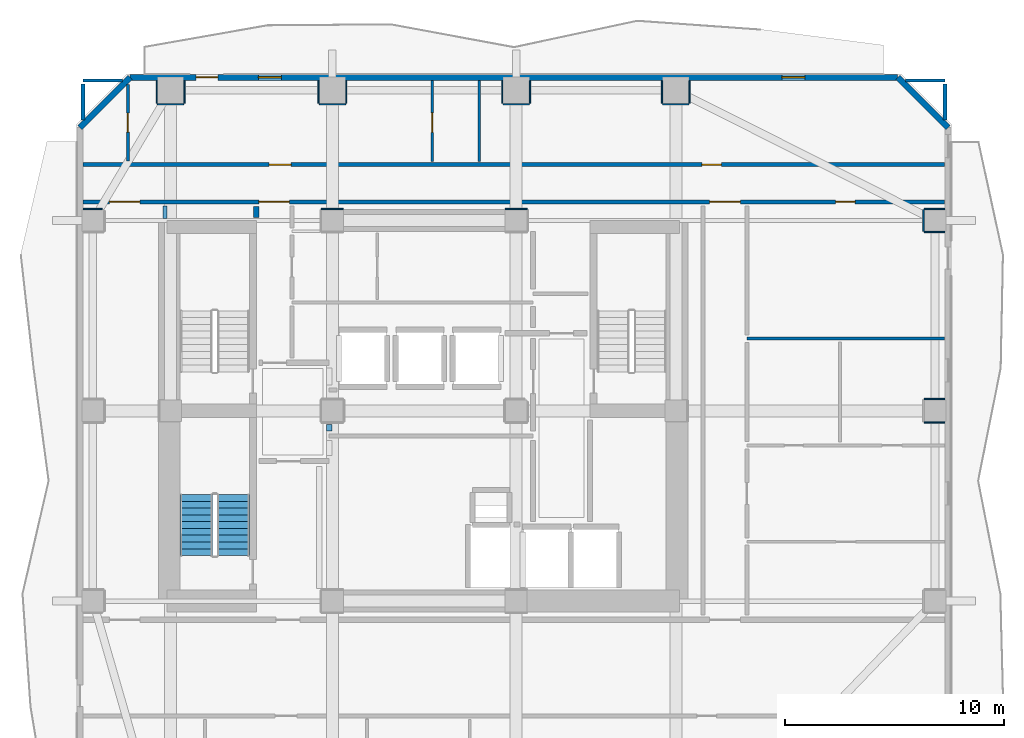
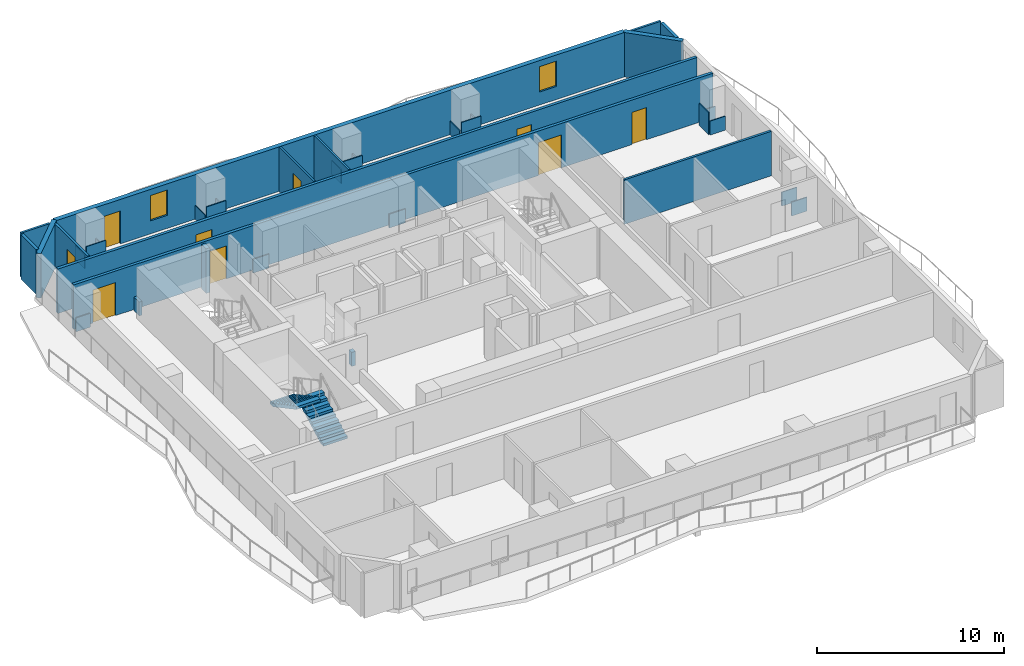
# One storey, part 5 of 9: 36 walls, 9 doors, 2 stair flights, 2 windows, 11 openings, 1 element without a shape of its own.
"""IFC4 building model written with IfcOpenShell, lengths in metres."""

import ifcopenshell
import ifcopenshell.guid

model = None  # the IFC model being written
_history = None  # IfcOwnerHistory: only IFC2X3 demands one
_inside = {}  # id of a spatial element -> (the spatial element, [elements in it])
_under = {}  # id of a project, library or spatial element -> (it, [spatial elements below it])
_declared = {}  # id of a project -> (the project, [libraries it declares])
_typed = {}  # id of a type object -> (the type object, [elements of that type])
_made_of = {}  # id of a material, layer set ... -> (it, [elements and type objects made of it])


def new_model(schema):
    """Start an empty IFC model of exactly this schema.

    Asked for "IFC4X3", IfcOpenShell would pick the latest addendum, in which some entities
    have other attributes; the version numbers below select the first issue.
    IFC2X3 requires an IfcOwnerHistory on every rooted entity: one is made here for all.
    """
    global model, _history
    if schema == "IFC4X3":
        model = ifcopenshell.file(schema_version=(4, 3, 0, 0))
    else:
        model = ifcopenshell.file(schema=schema)
    _inside.clear()
    _under.clear()
    _declared.clear()
    _typed.clear()
    _made_of.clear()
    _history = None
    if model.schema == "IFC2X3":
        org = make("IfcOrganization", Name="unknown")
        user = make(
            "IfcPersonAndOrganization",
            ThePerson=make("IfcPerson", FamilyName="unknown"),
            TheOrganization=org,
        )
        app = make(
            "IfcApplication",
            ApplicationDeveloper=org,
            Version="unknown",
            ApplicationFullName="unknown",
            ApplicationIdentifier="unknown",
        )
        _history = make(
            "IfcOwnerHistory",
            OwningUser=user,
            OwningApplication=app,
            ChangeAction="ADDED",
            CreationDate=0,
        )
    return model


def make(cls, **values):
    """One entity of the class cls with the attributes given. An attribute that is None is left unset."""
    return model.create_entity(
        cls, **{name: value for name, value in values.items() if value is not None}
    )


def rooted(cls, **values):
    """An entity with a GlobalId (a new one), such as an element, a storey or a relation."""
    return make(cls, GlobalId=ifcopenshell.guid.new(), OwnerHistory=_history, **values)


def si_unit(unit_type, name, prefix=None):
    """IfcSIUnit, for example si_unit("LENGTHUNIT", "METRE", prefix="MILLI")."""
    return make("IfcSIUnit", UnitType=unit_type, Prefix=prefix, Name=name)


def assignment(units):
    """IfcUnitAssignment: the units of a project."""
    return None if units is None else make("IfcUnitAssignment", Units=units)


def point(xyz):
    """IfcCartesianPoint."""
    return None if xyz is None else make("IfcCartesianPoint", Coordinates=xyz)


def direction(xyz):
    """IfcDirection."""
    return None if xyz is None else make("IfcDirection", DirectionRatios=xyz)


def frame(location, z_axis=None, x_axis=None):
    """IfcAxis2Placement3D, a coordinate frame: its origin and axes. An axis left out is left unset."""
    return make(
        "IfcAxis2Placement3D",
        Location=point(location),
        Axis=direction(z_axis),
        RefDirection=direction(x_axis),
    )


def frame_2d(location, x_axis=None):
    """IfcAxis2Placement2D, a coordinate frame in the plane: its origin and x axis."""
    return make(
        "IfcAxis2Placement2D", Location=point(location), RefDirection=direction(x_axis)
    )


def origin():
    """The frame at (0, 0, 0) with its axes left unset."""
    return frame((0.0, 0.0, 0.0))


def place(relative_to, where):
    """IfcLocalPlacement: puts the frame where relative to a parent placement (None: the world)."""
    return make(
        "IfcLocalPlacement", PlacementRelTo=relative_to, RelativePlacement=where
    )


def context(
    kind, dimensions, precision=None, world=None, true_north=None, identifier=None
):
    """IfcGeometricRepresentationContext, for example the 3D "Model" context."""
    return make(
        "IfcGeometricRepresentationContext",
        ContextIdentifier=identifier,
        ContextType=kind,
        CoordinateSpaceDimension=dimensions,
        Precision=precision,
        WorldCoordinateSystem=world,
        TrueNorth=true_north,
    )


def subcontext(parent, identifier, kind, view, scale=None):
    """IfcGeometricRepresentationSubContext, for example "Body" below "Model"."""
    return make(
        "IfcGeometricRepresentationSubContext",
        ContextIdentifier=identifier,
        ContextType=kind,
        ParentContext=parent,
        TargetScale=scale,
        TargetView=view,
    )


def project(units=None, contexts=None):
    """IfcProject with its units and contexts."""
    return rooted(
        "IfcProject",
        Name="project",
        RepresentationContexts=contexts,
        UnitsInContext=assignment(units),
    )


def spatial(cls, under=None, at=None, **own):
    """A site, building, storey or space (cls), placed at a placement, below another one or the project."""
    s = rooted(cls, ObjectPlacement=at, **own)
    if under is not None:
        _under.setdefault(under.id(), (under, []))[1].append(s)
    return s


def polyline(points):
    """IfcPolyline through the points."""
    return make("IfcPolyline", Points=[point(p) for p in points])


def profile(cls, at=None, kind="AREA", **sizes):
    """A parametric profile (cls). Its sizes go by their IFC names, for example OverallWidth=200.0."""
    return make(cls, ProfileType=kind, Position=at, **sizes)


def rectangle(**sizes):
    """IfcRectangleProfileDef."""
    return profile("IfcRectangleProfileDef", **sizes)


def outline(outer, holes=None, kind="AREA"):
    """IfcArbitraryClosedProfileDef: a profile drawn as a closed curve; with holes, ...WithVoids."""
    if holes is None:
        return make("IfcArbitraryClosedProfileDef", ProfileType=kind, OuterCurve=outer)
    return make(
        "IfcArbitraryProfileDefWithVoids",
        ProfileType=kind,
        OuterCurve=outer,
        InnerCurves=holes,
    )


def extrude(swept, where, along, depth):
    """IfcExtrudedAreaSolid: the profile swept, set in the frame where, extruded along a direction by depth."""
    return make(
        "IfcExtrudedAreaSolid",
        SweptArea=swept,
        Position=where,
        ExtrudedDirection=direction(along),
        Depth=depth,
    )


def shape(context_of_items, identifier, shape_type, items):
    """IfcShapeRepresentation: the items that make up one representation, for example the "Body"."""
    return make(
        "IfcShapeRepresentation",
        ContextOfItems=context_of_items,
        RepresentationIdentifier=identifier,
        RepresentationType=shape_type,
        Items=items,
    )


def material(Name=None, Category=None):
    """IfcMaterial."""
    return make("IfcMaterial", Name=Name, Category=Category)


def layer(
    of_material, thickness, ventilated=None, Name=None, Category=None, Priority=None
):
    """IfcMaterialLayer: one layer of a wall or slab, of a material (None: an air gap)."""
    return make(
        "IfcMaterialLayer",
        Material=of_material,
        LayerThickness=thickness,
        IsVentilated=ventilated,
        Name=Name,
        Category=Category,
        Priority=Priority,
    )


def layer_set(layers, Name=None):
    """IfcMaterialLayerSet."""
    return make("IfcMaterialLayerSet", MaterialLayers=layers, LayerSetName=Name)


def made_of(thing, what):
    """Note that an element or type object is made of a material, layer set ...; save() writes the relation."""
    if what is not None:
        _made_of.setdefault(what.id(), (what, []))[1].append(thing)
    return thing


def type_object(cls, material=None, **own):
    """A type object (cls), such as IfcWallType, which elements share."""
    return made_of(rooted(cls, **own), material)


def element(
    cls,
    number,
    at=None,
    inside=None,
    cuts=None,
    type_object=None,
    material=None,
    context=None,
    identifier="Body",
    shape_type=None,
    held_by="IfcProductDefinitionShape",
    body=None,
    shapes=None,
    **own,
):
    """One element of the class cls, such as IfcWall. Its Tag is "e" and its number.

    at: its placement. inside: the storey or other place that contains it. cuts: it is an
    opening in that element (IfcRelVoidsElement). A single representation is given by context,
    identifier, shape_type and body (its items); several are given by shapes. held_by: the class
    of the entity that holds the representations. save() writes the other relations.
    """
    e = rooted(cls, Tag="e%d" % number, ObjectPlacement=at, **own)
    if body is not None:
        shapes = [shape(context, identifier, shape_type, body)]
    if shapes is not None:
        e.Representation = make(held_by, Representations=shapes)
    if inside is not None:
        _inside.setdefault(inside.id(), (inside, []))[1].append(e)
    if cuts is not None:
        rooted(
            "IfcRelVoidsElement", RelatingBuildingElement=cuts, RelatedOpeningElement=e
        )
    if type_object is not None:
        _typed.setdefault(type_object.id(), (type_object, []))[1].append(e)
    return made_of(e, material)


def fill(opening, filler):
    """IfcRelFillsElement: the door or window that sits in an opening."""
    return rooted(
        "IfcRelFillsElement",
        RelatingOpeningElement=opening,
        RelatedBuildingElement=filler,
    )


def aggregate(whole, parts):
    """IfcRelAggregates: a whole, such as a stair, and the parts it consists of."""
    return rooted("IfcRelAggregates", RelatingObject=whole, RelatedObjects=parts)


def save(model, path):
    """Write the relations noted so far, then the file.

    IfcRelAggregates (storeys below a building ...), IfcRelContainedInSpatialStructure (elements
    in a storey), IfcRelDefinesByType, IfcRelAssociatesMaterial and IfcRelDeclares: one each for
    every whole, place, type object, material and project.
    """
    for whole, parts in _under.values():
        aggregate(whole, parts)
    for where, things in _inside.values():
        rooted(
            "IfcRelContainedInSpatialStructure",
            RelatedElements=things,
            RelatingStructure=where,
        )
    for kind, things in _typed.values():
        rooted("IfcRelDefinesByType", RelatedObjects=things, RelatingType=kind)
    for what, things in _made_of.values():
        rooted("IfcRelAssociatesMaterial", RelatedObjects=things, RelatingMaterial=what)
    for by, libraries in _declared.values():
        rooted("IfcRelDeclares", RelatingContext=by, RelatedDefinitions=libraries)
    model.write(path)


model = new_model("IFC4")

# Units and contexts
model_context = context("Model", 3, precision=1e-05, world=origin(), true_north=direction((0.0, 1.0)))
body_context = subcontext(model_context, "Body", "Model", "MODEL_VIEW")
ifc_project = project(units=[si_unit("LENGTHUNIT", "METRE"), si_unit("AREAUNIT", "SQUARE_METRE"), si_unit("VOLUMEUNIT", "CUBIC_METRE"), si_unit("PLANEANGLEUNIT", "RADIAN"), si_unit("MASSUNIT", "GRAM", prefix="KILO")], contexts=[model_context])

# Site, building, storey
site_placement = place(None, origin())
site = spatial("IfcSite", under=ifc_project, at=site_placement, CompositionType="ELEMENT")
building_placement = place(site_placement, origin())
building = spatial("IfcBuilding", under=site, at=building_placement, Name="Solanera Arch Residences", CompositionType="ELEMENT")
storey_placement = place(building_placement, frame((0.0, 0.0, 142.60009765625)))
storey = spatial("IfcBuildingStorey", under=building, at=storey_placement, Name="L41", CompositionType="ELEMENT", Elevation=142.60009765625)

# Walls
ifc_material_1 = material(Name="Fire-Rated Gypsum Stud Partition", Category="gypsum")
ifc_layer_1 = layer(ifc_material_1, 0.06005859375)
ifc_layer_set_1 = layer_set([ifc_layer_1], Name="Fire-Rated Gypsum Stud Partition")
wall_type_1 = type_object("IfcWallType", Name="Column Acoustic Furring Wall 60", PredefinedType="PARTITIONING", material=ifc_layer_set_1)
for number, where, z_axis, x_axis, name in (
    (1, (20.300048828125, 39.931884765625, 0.0), (0.0, 0.0, 1.0), (1.0, 0.0, 0.0), "L41 Column Furring 3N"),
    (2, (28.699951171875, 39.931884765625, 0.0), (0.0, 0.0, 1.0), (1.0, 0.0, 0.0), "L41 Column Furring 4N"),
):
    element("IfcWall", number, at=place(storey_placement, frame(where, z_axis=z_axis, x_axis=x_axis)), inside=storey, type_object=wall_type_1, Name=name, PredefinedType="PARTITIONING", context=body_context, shape_type="SweptSolid", body=[
        extrude(rectangle(XDim=1.0, YDim=0.06005859375, at=frame_2d((0.5, 0.0))), origin(), (0.0, 0.0, 1.0), 0.90478515625),
    ])
wall_1_placement = place(storey_placement, frame((12.800048828125, 44.718017578125, 0.0), z_axis=(0.0, 0.0, 1.0), x_axis=(1.0, 0.0, 0.0)))
element("IfcWall", 3, at=wall_1_placement, inside=storey, type_object=wall_type_1, Name="L41 Column Furring 10S", PredefinedType="PARTITIONING", context=body_context, shape_type="SweptSolid", body=[
    extrude(rectangle(XDim=1.199951171875, YDim=0.06005859375, at=frame_2d((0.60009765625, 0.0))), origin(), (0.0, 0.0, 1.0), 1.449951171875),
])
for number, where, z_axis, x_axis, name in (
    (4, (12.76806640625, 44.75, 0.0), (0.0, 0.0, 1.0), (0.0, 1.0, 0.0), "L41 Column Furring 10W"),
    (5, (14.031982421875, 44.75, 0.0), (0.0, 0.0, 1.0), (0.0, 1.0, 0.0), "L41 Column Furring 10E"),
):
    element("IfcWall", number, at=place(storey_placement, frame(where, z_axis=z_axis, x_axis=x_axis)), inside=storey, type_object=wall_type_1, Name=name, PredefinedType="PARTITIONING", context=body_context, shape_type="SweptSolid", body=[
        extrude(rectangle(XDim=1.0400390625, YDim=0.06005859375, at=frame_2d((0.52001953125, 0.0))), origin(), (0.0, 0.0, 1.0), 0.90478515625),
    ])
wall_2_placement = place(storey_placement, frame((20.199951171875, 44.718017578125, 0.0), z_axis=(0.0, 0.0, 1.0), x_axis=(1.0, 0.0, 0.0)))
element("IfcWall", 6, at=wall_2_placement, inside=storey, type_object=wall_type_1, Name="L41 Column Furring 12S", PredefinedType="PARTITIONING", context=body_context, shape_type="SweptSolid", body=[
    extrude(rectangle(XDim=1.199951171875, YDim=0.06005859375, at=frame_2d((0.60009765625, 0.0))), origin(), (0.0, 0.0, 1.0), 1.449951171875),
])
for number, where, z_axis, x_axis, name in (
    (7, (20.16796875, 44.75, 0.0), (0.0, 0.0, 1.0), (0.0, 1.0, 0.0), "L41 Column Furring 12W"),
    (8, (21.431884765625, 44.75, 0.0), (0.0, 0.0, 1.0), (0.0, 1.0, 0.0), "L41 Column Furring 12E"),
):
    element("IfcWall", number, at=place(storey_placement, frame(where, z_axis=z_axis, x_axis=x_axis)), inside=storey, type_object=wall_type_1, Name=name, PredefinedType="PARTITIONING", context=body_context, shape_type="SweptSolid", body=[
        extrude(rectangle(XDim=1.0400390625, YDim=0.06005859375, at=frame_2d((0.52001953125, 0.0))), origin(), (0.0, 0.0, 1.0), 0.90478515625),
    ])
wall_3_placement = place(storey_placement, frame((28.60009765625, 44.718017578125, 0.0), z_axis=(0.0, 0.0, 1.0), x_axis=(1.0, 0.0, 0.0)))
element("IfcWall", 9, at=wall_3_placement, inside=storey, type_object=wall_type_1, Name="L41 Column Furring 14S", PredefinedType="PARTITIONING", context=body_context, shape_type="SweptSolid", body=[
    extrude(rectangle(XDim=1.199951171875, YDim=0.06005859375, at=frame_2d((0.60009765625, 0.0))), origin(), (0.0, 0.0, 1.0), 1.449951171875),
])
for number, where, z_axis, x_axis, name in (
    (10, (28.568115234375, 44.75, 0.0), (0.0, 0.0, 1.0), (0.0, 1.0, 0.0), "L41 Column Furring 14W"),
    (11, (29.83203125, 44.75, 0.0), (0.0, 0.0, 1.0), (0.0, 1.0, 0.0), "L41 Column Furring 14E"),
):
    element("IfcWall", number, at=place(storey_placement, frame(where, z_axis=z_axis, x_axis=x_axis)), inside=storey, type_object=wall_type_1, Name=name, PredefinedType="PARTITIONING", context=body_context, shape_type="SweptSolid", body=[
        extrude(rectangle(XDim=1.0400390625, YDim=0.06005859375, at=frame_2d((0.52001953125, 0.0))), origin(), (0.0, 0.0, 1.0), 0.90478515625),
    ])
wall_4_placement = place(storey_placement, frame((35.89990234375, 44.718017578125, 0.0), z_axis=(0.0, 0.0, 1.0), x_axis=(1.0, 0.0, 0.0)))
element("IfcWall", 12, at=wall_4_placement, inside=storey, type_object=wall_type_1, Name="L41 Column Furring 16S", PredefinedType="PARTITIONING", context=body_context, shape_type="SweptSolid", body=[
    extrude(rectangle(XDim=1.2001953125, YDim=0.06005859375, at=frame_2d((0.60009765625, 0.0))), origin(), (0.0, 0.0, 1.0), 1.449951171875),
])
for number, where, z_axis, x_axis, name in (
    (13, (35.867919921875, 44.75, 0.0), (0.0, 0.0, 1.0), (0.0, 1.0, 0.0), "L41 Column Furring 16W"),
    (14, (37.132080078125, 44.75, 0.0), (0.0, 0.0, 1.0), (0.0, 1.0, 0.0), "L41 Column Furring 16E"),
):
    element("IfcWall", number, at=place(storey_placement, frame(where, z_axis=z_axis, x_axis=x_axis)), inside=storey, type_object=wall_type_1, Name=name, PredefinedType="PARTITIONING", context=body_context, shape_type="SweptSolid", body=[
        extrude(rectangle(XDim=1.0400390625, YDim=0.06005859375, at=frame_2d((0.52001953125, 0.0))), origin(), (0.0, 0.0, 1.0), 0.90478515625),
    ])
for number, where, z_axis, x_axis, name in (
    (15, (47.85009765625, 30.16796875, 0.0), (0.0, 0.0, 1.0), (1.0, 0.0, 0.0), "L41 Column Furring 20S"),
    (16, (47.85009765625, 31.23193359375, 0.0), (0.0, 0.0, 1.0), (1.0, 0.0, 0.0), "L41 Column Furring 20N"),
):
    element("IfcWall", number, at=place(storey_placement, frame(where, z_axis=z_axis, x_axis=x_axis)), inside=storey, type_object=wall_type_1, Name=name, PredefinedType="PARTITIONING", context=body_context, shape_type="SweptSolid", body=[
        extrude(rectangle(XDim=0.93994140625, YDim=0.06005859375, at=frame_2d((0.469970703125, 0.0))), origin(), (0.0, 0.0, 1.0), 0.90478515625),
    ])
wall_5_placement = place(storey_placement, frame((9.409912109375, 39.931884765625, 0.0), z_axis=(0.0, 0.0, 1.0), x_axis=(1.0, 0.0, 0.0)))
element("IfcWall", 17, at=wall_5_placement, inside=storey, type_object=wall_type_1, Name="L41 Column Furring 21N", PredefinedType="PARTITIONING", context=body_context, shape_type="SweptSolid", body=[
    extrude(rectangle(XDim=0.87109375, YDim=0.06005859375, at=frame_2d((0.435546875, 0.0))), origin(), (0.0, 0.0, 1.0), 0.90478515625),
])
for number, where, z_axis, x_axis, name in (
    (18, (47.85009765625, 38.867919921875, 0.0), (0.0, 0.0, 1.0), (1.0, 0.0, 0.0), "L41 Column Furring 22S"),
    (19, (47.85009765625, 39.931884765625, 0.0), (0.0, 0.0, 1.0), (1.0, 0.0, 0.0), "L41 Column Furring 22N"),
):
    element("IfcWall", number, at=place(storey_placement, frame(where, z_axis=z_axis, x_axis=x_axis)), inside=storey, type_object=wall_type_1, Name=name, PredefinedType="PARTITIONING", context=body_context, shape_type="SweptSolid", body=[
        extrude(rectangle(XDim=0.93994140625, YDim=0.06005859375, at=frame_2d((0.469970703125, 0.0))), origin(), (0.0, 0.0, 1.0), 0.90478515625),
    ])
wall_6_placement = place(storey_placement, frame((47.818115234375, 38.89990234375, 0.0), z_axis=(0.0, 0.0, 1.0), x_axis=(0.0, 1.0, 0.0)))
element("IfcWall", 20, at=wall_6_placement, inside=storey, type_object=wall_type_1, Name="L41 Column Furring 22W", PredefinedType="PARTITIONING", context=body_context, shape_type="SweptSolid", body=[
    extrude(rectangle(XDim=1.0, YDim=0.06005859375, at=frame_2d((0.5, 0.0))), origin(), (0.0, 0.0, 1.0), 1.449951171875),
])

# Wall, openings, doors
ifc_material_2 = material(Name="Autoclaved Aerated Concrete Blockwork", Category="masonry")
ifc_layer_2 = layer(ifc_material_2, 0.179931640625)
ifc_layer_set_2 = layer_set([ifc_layer_2], Name="Autoclaved Aerated Concrete Blockwork")
wall_type_2 = type_object("IfcWallType", Name="Corridor Fire Partition 180", PredefinedType="PARTITIONING", material=ifc_layer_set_2)
wall_7_placement = place(storey_placement, frame((9.406982421875, 40.25, 0.0), z_axis=(0.0, 0.0, 1.0), x_axis=(1.0, 0.0, 0.0)))
wall_7 = element("IfcWall", 21, at=wall_7_placement, inside=storey, type_object=wall_type_2, Name="L41 Interior Partition H10", PredefinedType="PARTITIONING", context=body_context, shape_type="SweptSolid", body=[
    extrude(rectangle(XDim=39.385986328125, YDim=0.179931640625, at=frame_2d((19.69287109375, 0.0))), origin(), (0.0, 0.0, 1.0), 2.89990234375),
])
opening_1_placement = place(wall_7_placement, frame((8.028076171875, 0.0, 0.0)))
opening_1 = element("IfcOpeningElement", 22, at=opening_1_placement, cuts=wall_7, Name="Opening DF-03", PredefinedType="OPENING", context=body_context, shape_type="SweptSolid", body=[
    extrude(rectangle(XDim=1.39990234375, YDim=2.14990234375, at=frame_2d((0.699951171875, 1.074951171875))), frame((0.0, 0.10009765625, 0.0), z_axis=(0.0, -1.0, 0.0), x_axis=(1.0, 0.0, 0.0)), (0.0, 0.0, 1.0), 0.1999),
])
opening_2_placement = place(wall_7_placement, frame((1.19189453125, 0.0, 0.0)))
opening_2 = element("IfcOpeningElement", 23, at=opening_2_placement, cuts=wall_7, Name="Opening DF-03", PredefinedType="OPENING", context=body_context, shape_type="SweptSolid", body=[
    extrude(rectangle(XDim=1.39990234375, YDim=2.14990234375, at=frame_2d((0.699951171875, 1.074951171875))), frame((0.0, 0.10009765625, 0.0), z_axis=(0.0, -1.0, 0.0), x_axis=(1.0, 0.0, 0.0)), (0.0, 0.0, 1.0), 0.1999),
])
opening_3_placement = place(wall_7_placement, frame((28.64306640625, 0.0, 0.0)))
opening_3 = element("IfcOpeningElement", 24, at=opening_3_placement, cuts=wall_7, Name="Opening DF-03", PredefinedType="OPENING", context=body_context, shape_type="SweptSolid", body=[
    extrude(rectangle(XDim=1.39990234375, YDim=2.14990234375, at=frame_2d((0.699951171875, 1.074951171875))), frame((0.0, 0.10009765625, 0.0), z_axis=(0.0, -1.0, 0.0), x_axis=(1.0, 0.0, 0.0)), (0.0, 0.0, 1.0), 0.1999),
])
opening_4_placement = place(wall_7_placement, frame((34.39404296875, 0.0, 0.0)))
opening_4 = element("IfcOpeningElement", 25, at=opening_4_placement, cuts=wall_7, Name="Opening DI-02", PredefinedType="OPENING", context=body_context, shape_type="SweptSolid", body=[
    extrude(rectangle(XDim=0.89990234375, YDim=2.10009765625, at=frame_2d((0.449951171875, 1.050048828125))), frame((0.0, 0.10009765625, 0.0), z_axis=(0.0, -1.0, 0.0), x_axis=(1.0, 0.0, 0.0)), (0.0, 0.0, 1.0), 0.1999),
])
ifc_material_3 = material(Name="Fire-Rated Architectural Hardwood", Category="wood")
door_type_1 = type_object("IfcDoorType", Name="Corridor Smoke Door DF-03", OperationType="NOTDEFINED", PredefinedType="DOOR", material=ifc_material_3)
door_1_placement = place(opening_1_placement, origin())
door_1 = element("IfcDoor", 26, at=door_1_placement, inside=storey, type_object=door_type_1, Name="DR-L41-IN-009", OperationType="SINGLE_SWING_RIGHT", OverallHeight=2.14990234375, OverallWidth=1.39990234375, PredefinedType="DOOR", context=body_context, shape_type="SweptSolid", body=[
    extrude(rectangle(XDim=1.39990234375, YDim=2.14990234375, at=frame_2d((0.699951171875, 1.074951171875))), frame((0.0, 0.02490234375, 0.0), z_axis=(0.0, -1.0, 0.0), x_axis=(1.0, 0.0, 0.0)), (0.0, 0.0, 1.0), 0.050048828125),
])
fill(opening_1, door_1)
door_2_placement = place(opening_2_placement, origin())
door_2 = element("IfcDoor", 27, at=door_2_placement, inside=storey, type_object=door_type_1, Name="DR-L41-IN-012", OperationType="SINGLE_SWING_LEFT", OverallHeight=2.14990234375, OverallWidth=1.39990234375, PredefinedType="DOOR", context=body_context, shape_type="SweptSolid", body=[
    extrude(rectangle(XDim=1.39990234375, YDim=2.14990234375, at=frame_2d((0.699951171875, 1.074951171875))), frame((0.0, 0.02490234375, 0.0), z_axis=(0.0, -1.0, 0.0), x_axis=(1.0, 0.0, 0.0)), (0.0, 0.0, 1.0), 0.050048828125),
])
fill(opening_2, door_2)
door_3_placement = place(opening_3_placement, origin())
door_3 = element("IfcDoor", 28, at=door_3_placement, inside=storey, type_object=door_type_1, Name="DR-L41-IN-013", OperationType="SINGLE_SWING_RIGHT", OverallHeight=2.14990234375, OverallWidth=1.39990234375, PredefinedType="DOOR", context=body_context, shape_type="SweptSolid", body=[
    extrude(rectangle(XDim=1.39990234375, YDim=2.14990234375, at=frame_2d((0.699951171875, 1.074951171875))), frame((0.0, 0.02490234375, 0.0), z_axis=(0.0, -1.0, 0.0), x_axis=(1.0, 0.0, 0.0)), (0.0, 0.0, 1.0), 0.050048828125),
])
fill(opening_3, door_3)
ifc_material_4 = material(Name="Fire-Rated Architectural Hardwood", Category="wood")
door_type_2 = type_object("IfcDoorType", Name="Suite Room Swing Door DI-02", OperationType="NOTDEFINED", PredefinedType="DOOR", material=ifc_material_4)
door_4_placement = place(opening_4_placement, origin())
door_4 = element("IfcDoor", 29, at=door_4_placement, inside=storey, type_object=door_type_2, Name="DR-L41-IN-030", OperationType="SINGLE_SWING_LEFT", OverallHeight=2.10009765625, OverallWidth=0.89990234375, PredefinedType="DOOR", context=body_context, shape_type="SweptSolid", body=[
    extrude(rectangle(XDim=0.89990234375, YDim=2.10009765625, at=frame_2d((0.449951171875, 1.050048828125))), frame((0.0, 0.02490234375, 0.0), z_axis=(0.0, -1.0, 0.0), x_axis=(1.0, 0.0, 0.0)), (0.0, 0.0, 1.0), 0.050048828125),
])
fill(opening_4, door_4)

wall_8_placement = place(storey_placement, frame((9.406982421875, 41.949951171875, 0.0), z_axis=(0.0, 0.0, 1.0), x_axis=(1.0, 0.0, 0.0)))
wall_8 = element("IfcWall", 30, at=wall_8_placement, inside=storey, type_object=wall_type_2, Name="L41 Interior Partition H11", PredefinedType="PARTITIONING", context=body_context, shape_type="SweptSolid", body=[
    extrude(rectangle(XDim=39.385986328125, YDim=0.179931640625, at=frame_2d((19.69287109375, 0.0))), origin(), (0.0, 0.0, 1.0), 2.89990234375),
])
opening_5_placement = place(wall_8_placement, frame((8.5029296875, 0.0, 0.0)))
opening_5 = element("IfcOpeningElement", 31, at=opening_5_placement, cuts=wall_8, Name="Opening DI-01", PredefinedType="OPENING", context=body_context, shape_type="SweptSolid", body=[
    extrude(rectangle(XDim=1.0, YDim=2.14990234375, at=frame_2d((0.5, 1.074951171875))), frame((0.0, 0.10009765625, 0.0), z_axis=(0.0, -1.0, 0.0), x_axis=(1.0, 0.0, 0.0)), (0.0, 0.0, 1.0), 0.1999),
])
opening_6_placement = place(wall_8_placement, frame((28.279052734375, 0.0, 0.0)))
opening_6 = element("IfcOpeningElement", 32, at=opening_6_placement, cuts=wall_8, Name="Opening DI-02", PredefinedType="OPENING", context=body_context, shape_type="SweptSolid", body=[
    extrude(rectangle(XDim=0.89990234375, YDim=2.10009765625, at=frame_2d((0.449951171875, 1.050048828125))), frame((0.0, 0.10009765625, 0.0), z_axis=(0.0, -1.0, 0.0), x_axis=(1.0, 0.0, 0.0)), (0.0, 0.0, 1.0), 0.1999),
])
door_5_placement = place(opening_6_placement, origin())
door_5 = element("IfcDoor", 33, at=door_5_placement, inside=storey, type_object=door_type_2, Name="DR-L41-IN-025", OperationType="SINGLE_SWING_RIGHT", OverallHeight=2.10009765625, OverallWidth=0.89990234375, PredefinedType="DOOR", context=body_context, shape_type="SweptSolid", body=[
    extrude(rectangle(XDim=0.89990234375, YDim=2.10009765625, at=frame_2d((0.449951171875, 1.050048828125))), frame((0.0, 0.02490234375, 0.0), z_axis=(0.0, -1.0, 0.0), x_axis=(1.0, 0.0, 0.0)), (0.0, 0.0, 1.0), 0.050048828125),
])
fill(opening_6, door_5)
ifc_material_5 = material(Name="Fire-Rated Architectural Hardwood", Category="wood")
door_type_3 = type_object("IfcDoorType", Name="Unit Entrance Fire Door DI-01", OperationType="NOTDEFINED", PredefinedType="DOOR", material=ifc_material_5)
door_6_placement = place(opening_5_placement, origin())
door_6 = element("IfcDoor", 34, at=door_6_placement, inside=storey, type_object=door_type_3, Name="DR-L41-IN-022", OperationType="SINGLE_SWING_LEFT", OverallHeight=2.14990234375, OverallWidth=1.0, PredefinedType="DOOR", context=body_context, shape_type="SweptSolid", body=[
    extrude(rectangle(XDim=1.0, YDim=2.14990234375, at=frame_2d((0.5, 1.074951171875))), frame((0.0, 0.02490234375, 0.0), z_axis=(0.0, -1.0, 0.0), x_axis=(1.0, 0.0, 0.0)), (0.0, 0.0, 1.0), 0.050048828125),
])
fill(opening_5, door_6)

# Walls
wall_9_placement = place(storey_placement, frame((9.39990234375, 44.0048828125, 0.0), z_axis=(0.0, 0.0, 1.0), x_axis=(0.0, 1.0, 0.0)))
element("IfcWall", 35, at=wall_9_placement, inside=storey, type_object=wall_type_2, Name="L41 Interior Partition V6 2", PredefinedType="PARTITIONING", context=body_context, shape_type="SweptSolid", body=[
    extrude(rectangle(XDim=1.627197265625, YDim=0.179931640625, at=frame_2d((0.8134765625, 0.0))), origin(), (0.0, 0.0, 1.0), 2.89990234375),
])
wall_10_placement = place(storey_placement, frame((13.14990234375, 39.5, 0.0), z_axis=(0.0, 0.0, 1.0), x_axis=(0.0, 1.0, 0.0)))
element("IfcWall", 36, at=wall_10_placement, inside=storey, type_object=wall_type_2, Name="L41 Interior Partition V7", PredefinedType="PARTITIONING", context=body_context, shape_type="SweptSolid", body=[
    extrude(rectangle(XDim=0.56201171875, YDim=0.179931640625, at=frame_2d((0.281005859375, 0.0))), origin(), (0.0, 0.0, 1.0), 0.90478515625),
])
wall_11_placement = place(storey_placement, frame((48.800048828125, 44.0048828125, 0.0), z_axis=(0.0, 0.0, 1.0), x_axis=(0.0, 1.0, 0.0)))
element("IfcWall", 37, at=wall_11_placement, inside=storey, type_object=wall_type_2, Name="L41 Interior Partition V12 2", PredefinedType="PARTITIONING", context=body_context, shape_type="SweptSolid", body=[
    extrude(rectangle(XDim=1.627197265625, YDim=0.179931640625, at=frame_2d((0.8134765625, 0.0))), origin(), (0.0, 0.0, 1.0), 2.89990234375),
])
ifc_material_6 = material(Name="Precast Concrete C35/45", Category="concrete")
ifc_layer_3 = layer(ifc_material_6, 0.280029296875)
ifc_layer_set_3 = layer_set([ifc_layer_3], Name="Precast Concrete C35/45")
wall_type_3 = type_object("IfcWallType", Name="Exterior Wall Precast Masonry-Frame 280", PredefinedType="STANDARD", material=ifc_layer_set_3)
wall_12_placement = place(storey_placement, frame((9.2548828125, 43.64501953125, 0.0), z_axis=(0.0, 0.0, 1.0), x_axis=(0.707106781187, 0.707106781187, 0.0)))
element("IfcWall", 38, at=wall_12_placement, inside=storey, type_object=wall_type_3, Name="L41 Tower Exterior Precast Masonry-Frame Wall CH1", PredefinedType="STANDARD", context=body_context, shape_type="SweptSolid", body=[
    extrude(rectangle(XDim=3.252685546875, YDim=0.280029296875, at=frame_2d((1.62646484375, 0.0))), origin(), (0.0, 0.0, 1.0), 2.89990234375),
])

# Wall, openings, door, windows
wall_13_placement = place(storey_placement, frame((11.554931640625, 45.945068359375, 0.0), z_axis=(0.0, 0.0, 1.0), x_axis=(1.0, 0.0, 0.0)))
wall_13 = element("IfcWall", 39, at=wall_13_placement, inside=storey, type_object=wall_type_3, Name="L41 Tower Exterior Precast Masonry-Frame Wall N", PredefinedType="STANDARD", context=body_context, shape_type="SweptSolid", body=[
    extrude(rectangle(XDim=35.090087890625, YDim=0.280029296875, at=frame_2d((17.544921875, 0.0))), origin(), (0.0, 0.0, 1.0), 2.89990234375),
])
opening_7_placement = place(wall_13_placement, frame((3.009033203125, 0.0, 0.0)))
opening_7 = element("IfcOpeningElement", 40, at=opening_7_placement, cuts=wall_13, Name="Opening DB-01", PredefinedType="OPENING", context=body_context, shape_type="SweptSolid", body=[
    extrude(rectangle(XDim=1.0, YDim=2.14990234375, at=frame_2d((0.5, 1.074951171875))), frame((0.0, 0.14990234375, 0.0), z_axis=(0.0, -1.0, 0.0), x_axis=(1.0, 0.0, 0.0)), (0.0, 0.0, 1.0), 0.3),
])
opening_8_placement = place(wall_13_placement, frame((5.85693359375, 0.0, 0.85009765625)))
opening_8 = element("IfcOpeningElement", 41, at=opening_8_placement, cuts=wall_13, Name="Opening W-07", PredefinedType="OPENING", context=body_context, shape_type="SweptSolid", body=[
    extrude(rectangle(XDim=1.050048828125, YDim=1.64990234375, at=frame_2d((0.52490234375, 0.824951171875))), frame((0.0, 0.14990234375, 0.0), z_axis=(0.0, -1.0, 0.0), x_axis=(1.0, 0.0, 0.0)), (0.0, 0.0, 1.0), 0.3),
])
opening_9_placement = place(wall_13_placement, frame((29.79296875, 0.0, 0.85009765625)))
opening_9 = element("IfcOpeningElement", 42, at=opening_9_placement, cuts=wall_13, Name="Opening W-07", PredefinedType="OPENING", context=body_context, shape_type="SweptSolid", body=[
    extrude(rectangle(XDim=1.050048828125, YDim=1.64990234375, at=frame_2d((0.52490234375, 0.824951171875))), frame((0.0, 0.14990234375, 0.0), z_axis=(0.0, -1.0, 0.0), x_axis=(1.0, 0.0, 0.0)), (0.0, 0.0, 1.0), 0.3),
])
ifc_material_7 = material(Name="Anodised Aluminium Alloy 6063-T6", Category="aluminium")
door_type_4 = type_object("IfcDoorType", Name="Glazed Balcony Swing Door DB-01", OperationType="NOTDEFINED", PredefinedType="DOOR", material=ifc_material_7)
door_7_placement = place(opening_7_placement, origin())
door_7 = element("IfcDoor", 43, at=door_7_placement, inside=storey, type_object=door_type_4, Name="DR-L41-OUT-02", OperationType="SINGLE_SWING_RIGHT", OverallHeight=2.14990234375, OverallWidth=1.0, PredefinedType="DOOR", context=body_context, shape_type="SweptSolid", body=[
    extrude(rectangle(XDim=1.0, YDim=2.14990234375, at=frame_2d((0.5, 1.074951171875))), frame((0.0, 0.02490234375, 0.0), z_axis=(0.0, -1.0, 0.0), x_axis=(1.0, 0.0, 0.0)), (0.0, 0.0, 1.0), 0.050048828125),
])
fill(opening_7, door_7)
ifc_material_8 = material(Name="Double Glazed Low-E Laminated Glass", Category="glass")
window_type = type_object("IfcWindowType", Name="Punched Window W-07", PartitioningType="SINGLE_PANEL", PredefinedType="WINDOW", material=ifc_material_8)
window_1_placement = place(opening_8_placement, origin())
window_1 = element("IfcWindow", 44, at=window_1_placement, inside=storey, type_object=window_type, Name="L41 4102-LIV Punched Window", OverallHeight=1.64990234375, OverallWidth=1.050048828125, PartitioningType="SINGLE_PANEL", PredefinedType="WINDOW", context=body_context, shape_type="SweptSolid", body=[
    extrude(rectangle(XDim=1.050048828125, YDim=1.64990234375, at=frame_2d((0.52490234375, 0.824951171875))), frame((0.0, 0.030029296875, 0.0), z_axis=(0.0, -1.0, 0.0), x_axis=(1.0, 0.0, 0.0)), (0.0, 0.0, 1.0), 0.06005859375),
])
fill(opening_8, window_1)
window_2_placement = place(opening_9_placement, origin())
window_2 = element("IfcWindow", 45, at=window_2_placement, inside=storey, type_object=window_type, Name="L41 AMN-MTG1 Punched Window", OverallHeight=1.64990234375, OverallWidth=1.050048828125, PartitioningType="SINGLE_PANEL", PredefinedType="WINDOW", context=body_context, shape_type="SweptSolid", body=[
    extrude(rectangle(XDim=1.050048828125, YDim=1.64990234375, at=frame_2d((0.52490234375, 0.824951171875))), frame((0.0, 0.030029296875, 0.0), z_axis=(0.0, -1.0, 0.0), x_axis=(1.0, 0.0, 0.0)), (0.0, 0.0, 1.0), 0.06005859375),
])
fill(opening_9, window_2)

# Walls
wall_14_placement = place(storey_placement, frame((46.64501953125, 45.945068359375, 0.0), z_axis=(0.0, 0.0, 1.0), x_axis=(0.707106781187, -0.707106781187, 0.0)))
element("IfcWall", 46, at=wall_14_placement, inside=storey, type_object=wall_type_3, Name="L41 Tower Exterior Precast Masonry-Frame Wall CH3", PredefinedType="STANDARD", context=body_context, shape_type="SweptSolid", body=[
    extrude(rectangle(XDim=3.252685546875, YDim=0.280029296875, at=frame_2d((1.62646484375, 0.0))), origin(), (0.0, 0.0, 1.0), 2.89990234375),
])
ifc_material_9 = material(Name="Autoclaved Aerated Concrete Blockwork", Category="masonry")
ifc_layer_4 = layer(ifc_material_9, 0.239990234375)
ifc_layer_set_4 = layer_set([ifc_layer_4], Name="Autoclaved Aerated Concrete Blockwork")
wall_type_4 = type_object("IfcWallType", Name="Shaft Wall Fire-Rated 240", PredefinedType="PARTITIONING", material=ifc_layer_set_4)
wall_15_placement = place(storey_placement, frame((17.320068359375, 39.530029296875, 0.0), z_axis=(0.0, 0.0, 1.0), x_axis=(0.0, 1.0, 0.0)))
element("IfcWall", 47, at=wall_15_placement, inside=storey, type_object=wall_type_4, Name="L41 Interior Partition V1", PredefinedType="PARTITIONING", context=body_context, shape_type="SweptSolid", body=[
    extrude(rectangle(XDim=0.501953125, YDim=0.239990234375, at=frame_2d((0.2509765625, 0.0))), origin(), (0.0, 0.0, 1.0), 2.89990234375),
])
wall_16_placement = place(storey_placement, frame((20.64990234375, 29.76806640625, 0.0), z_axis=(0.0, 0.0, 1.0), x_axis=(0.0, 1.0, 0.0)))
element("IfcWall", 48, at=wall_16_placement, inside=storey, type_object=wall_type_4, Name="L41 Interior Partition V3 2", PredefinedType="PARTITIONING", context=body_context, shape_type="SweptSolid", body=[
    extrude(rectangle(XDim=0.300048828125, YDim=0.239990234375, at=frame_2d((0.14990234375, 0.0))), origin(), (0.0, 0.0, 1.0), 0.90478515625),
])

# Wall, opening, door
ifc_material_10 = material(Name="Fire-Rated Gypsum Stud Partition", Category="gypsum")
ifc_layer_5 = layer(ifc_material_10, 0.1201171875)
ifc_layer_set_5 = layer_set([ifc_layer_5], Name="Fire-Rated Gypsum Stud Partition")
wall_type_5 = type_object("IfcWallType", Name="Unit Drywall Partition 120", PredefinedType="PARTITIONING", material=ifc_layer_set_5)
wall_17_placement = place(storey_placement, frame((25.3701171875, 42.10791015625, 0.0), z_axis=(0.0, 0.0, 1.0), x_axis=(0.0, 1.0, 0.0)))
wall_17 = element("IfcWall", 49, at=wall_17_placement, inside=storey, type_object=wall_type_5, Name="L41 Interior Partition V18", PredefinedType="PARTITIONING", context=body_context, shape_type="SweptSolid", body=[
    extrude(rectangle(XDim=3.68505859375, YDim=0.1201171875, at=frame_2d((1.842529296875, 0.0))), origin(), (0.0, 0.0, 1.0), 2.89990234375),
])
opening_10_placement = place(wall_17_placement, frame((1.31689453125, 0.0, 0.0)))
opening_10 = element("IfcOpeningElement", 50, at=opening_10_placement, cuts=wall_17, Name="Opening DI-02", PredefinedType="OPENING", context=body_context, shape_type="SweptSolid", body=[
    extrude(rectangle(XDim=0.89990234375, YDim=2.10009765625, at=frame_2d((0.449951171875, 1.050048828125))), frame((0.0, 0.070068359375, 0.0), z_axis=(0.0, -1.0, 0.0), x_axis=(1.0, 0.0, 0.0)), (0.0, 0.0, 1.0), 0.1401),
])
door_8_placement = place(opening_10_placement, origin())
door_8 = element("IfcDoor", 51, at=door_8_placement, inside=storey, type_object=door_type_2, Name="DR-L41-IN-024", OperationType="SINGLE_SWING_LEFT", OverallHeight=2.10009765625, OverallWidth=0.89990234375, PredefinedType="DOOR", context=body_context, shape_type="SweptSolid", body=[
    extrude(rectangle(XDim=0.89990234375, YDim=2.10009765625, at=frame_2d((0.449951171875, 1.050048828125))), frame((0.0, 0.02490234375, 0.0), z_axis=(0.0, -1.0, 0.0), x_axis=(1.0, 0.0, 0.0)), (0.0, 0.0, 1.0), 0.050048828125),
])
fill(opening_10, door_8)

# Walls
wall_18_placement = place(storey_placement, frame((27.52001953125, 42.10791015625, 0.0), z_axis=(0.0, 0.0, 1.0), x_axis=(0.0, 1.0, 0.0)))
element("IfcWall", 52, at=wall_18_placement, inside=storey, type_object=wall_type_5, Name="L41 Interior Partition V20", PredefinedType="PARTITIONING", context=body_context, shape_type="SweptSolid", body=[
    extrude(rectangle(XDim=3.68505859375, YDim=0.1201171875, at=frame_2d((1.842529296875, 0.0))), origin(), (0.0, 0.0, 1.0), 2.89990234375),
])
ifc_material_11 = material(Name="Autoclaved Aerated Concrete Blockwork", Category="masonry")
ifc_layer_6 = layer(ifc_material_11, 0.139892578125)
ifc_layer_set_6 = layer_set([ifc_layer_6], Name="Autoclaved Aerated Concrete Blockwork")
wall_type_6 = type_object("IfcWallType", Name="Wet-Room Partition 140", PredefinedType="PARTITIONING", material=ifc_layer_set_6)
wall_19_placement = place(storey_placement, frame((39.75, 34.0, 0.0), z_axis=(0.0, 0.0, 1.0), x_axis=(1.0, 0.0, 0.0)))
element("IfcWall", 53, at=wall_19_placement, inside=storey, type_object=wall_type_6, Name="L41 Interior Partition H15", PredefinedType="PARTITIONING", context=body_context, shape_type="SweptSolid", body=[
    extrude(rectangle(XDim=9.04296875, YDim=0.139892578125, at=frame_2d((4.521484375, 0.0))), origin(), (0.0, 0.0, 1.0), 2.89990234375),
])
for number, where, z_axis, x_axis, name in (
    (54, (9.39990234375, 45.800048828125, 0.0), (0.0, 0.0, 1.0), (1.0, 0.0, 0.0), "L41 Interior Partition H16 1"),
    (55, (47.0048828125, 45.800048828125, 0.0), (0.0, 0.0, 1.0), (1.0, 0.0, 0.0), "L41 Interior Partition H16 2"),
):
    element("IfcWall", number, at=place(storey_placement, frame(where, z_axis=z_axis, x_axis=x_axis)), inside=storey, type_object=wall_type_6, Name=name, PredefinedType="PARTITIONING", context=body_context, shape_type="SweptSolid", body=[
        extrude(rectangle(XDim=1.795166015625, YDim=0.139892578125, at=frame_2d((0.8974609375, 0.0))), origin(), (0.0, 0.0, 1.0), 2.89990234375),
    ])

# Wall, opening, door
wall_20_placement = place(storey_placement, frame((11.449951171875, 42.117919921875, 0.0), z_axis=(0.0, 0.0, 1.0), x_axis=(0.0, 1.0, 0.0)))
wall_20 = element("IfcWall", 56, at=wall_20_placement, inside=storey, type_object=wall_type_6, Name="L41 Interior Partition V13", PredefinedType="PARTITIONING", context=body_context, shape_type="SweptSolid", body=[
    extrude(rectangle(XDim=3.507080078125, YDim=0.139892578125, at=frame_2d((1.75341796875, 0.0))), origin(), (0.0, 0.0, 1.0), 2.89990234375),
])
opening_11_placement = place(wall_20_placement, frame((1.326904296875, 0.0, 0.0)))
opening_11 = element("IfcOpeningElement", 57, at=opening_11_placement, cuts=wall_20, Name="Opening DI-05", PredefinedType="OPENING", context=body_context, shape_type="SweptSolid", body=[
    extrude(rectangle(XDim=0.860107421875, YDim=2.02001953125, at=frame_2d((0.43017578125, 1.010009765625))), frame((0.0, 0.079833984375, 0.0), z_axis=(0.0, -1.0, 0.0), x_axis=(1.0, 0.0, 0.0)), (0.0, 0.0, 1.0), 0.1599),
])
ifc_material_12 = material(Name="Fire-Rated Architectural Hardwood", Category="wood")
door_type_5 = type_object("IfcDoorType", Name="Bathroom Swing Door DI-05", OperationType="NOTDEFINED", PredefinedType="DOOR", material=ifc_material_12)
door_9_placement = place(opening_11_placement, origin())
door_9 = element("IfcDoor", 58, at=door_9_placement, inside=storey, type_object=door_type_5, Name="DR-L41-IN-023", OperationType="SINGLE_SWING_RIGHT", OverallHeight=2.02001953125, OverallWidth=0.860107421875, PredefinedType="DOOR", context=body_context, shape_type="SweptSolid", body=[
    extrude(rectangle(XDim=0.860107421875, YDim=2.02001953125, at=frame_2d((0.43017578125, 1.010009765625))), frame((0.0, 0.02490234375, 0.0), z_axis=(0.0, -1.0, 0.0), x_axis=(1.0, 0.0, 0.0)), (0.0, 0.0, 1.0), 0.050048828125),
])
fill(opening_11, door_9)

# Stair, stair flights
ifc_material_13 = material(Name="Concrete C40/50 (f'c = 45 MPa)", Category="concrete")
stair_type = type_object("IfcStairType", Name="Tower Dogleg Exit Stair 1480", PredefinedType="HALF_TURN_STAIR", material=ifc_material_13)
stair_placement = place(storey_placement, origin())
stair = element("IfcStair", 59, at=stair_placement, inside=storey, type_object=stair_type, Name="L41 Tower Core Exit Stair 3", PredefinedType="HALF_TURN_STAIR")
ifc_material_14 = material(Name="Concrete C40/50 (f'c = 45 MPa)", Category="concrete")
stair_flight_type = type_object("IfcStairFlightType", Name="Tower Precast Stair Flight 1480", PredefinedType="STRAIGHT", material=ifc_material_14)
stair_flight_1_placement = place(storey_placement, frame((16.260009765625, 24.080078125, 0.0), z_axis=(0.0, 0.0, 1.0), x_axis=(0.0, 1.0, 0.0)))
stair_flight_1 = element("IfcStairFlight", 60, at=stair_flight_1_placement, type_object=stair_flight_type, Name="ST-T3 flight 1", NumberOfRisers=10, NumberOfTreads=9, PredefinedType="STRAIGHT", RiserHeight=0.166, TreadLength=0.31, context=body_context, shape_type="SweptSolid", body=[
    extrude(outline(polyline([(0.0, 0.0), (0.0, 0.166015625), (0.31005859375, 0.166015625), (0.31005859375, 0.33203125), (0.6201171875, 0.33203125), (0.6201171875, 0.498046875), (0.929931640625, 0.498046875), (0.929931640625, 0.6640625), (1.239990234375, 0.6640625), (1.239990234375, 0.830078125), (1.550048828125, 0.830078125), (1.550048828125, 0.99609375), (1.860107421875, 0.99609375), (1.860107421875, 1.162109375), (2.169921875, 1.162109375), (2.169921875, 1.327880859375), (2.47998046875, 1.327880859375), (2.47998046875, 1.493896484375), (2.7900390625, 1.493896484375), (2.7900390625, 1.659912109375), (2.7900390625, 1.323974609375), (0.317626953125, 0.0), (0.0, 0.0)])), frame((0.0, 0.739990234375, 0.0), z_axis=(0.0, -1.0, 0.0), x_axis=(1.0, 0.0, 0.0)), (0.0, 0.0, 1.0), 1.47998046875),
])
stair_flight_2_placement = place(storey_placement, frame((14.580078125, 26.8701171875, 1.659912109375), z_axis=(0.0, 0.0, 1.0), x_axis=(0.0, -1.0, 0.0)))
stair_flight_2 = element("IfcStairFlight", 61, at=stair_flight_2_placement, type_object=stair_flight_type, Name="ST-T3 flight 2", NumberOfRisers=10, NumberOfTreads=9, PredefinedType="STRAIGHT", RiserHeight=0.166, TreadLength=0.31, context=body_context, shape_type="SweptSolid", body=[
    extrude(outline(polyline([(0.0, 0.0), (0.0, 0.166015625), (0.31005859375, 0.166015625), (0.31005859375, 0.33203125), (0.6201171875, 0.33203125), (0.6201171875, 0.498046875), (0.929931640625, 0.498046875), (0.929931640625, 0.6640625), (1.239990234375, 0.6640625), (1.239990234375, 0.830078125), (1.550048828125, 0.830078125), (1.550048828125, 0.99609375), (1.860107421875, 0.99609375), (1.860107421875, 1.162109375), (2.169921875, 1.162109375), (2.169921875, 1.327880859375), (2.47998046875, 1.327880859375), (2.47998046875, 1.493896484375), (2.7900390625, 1.493896484375), (2.7900390625, 1.659912109375), (2.7900390625, 1.323974609375), (0.317626953125, 0.0), (0.0, 0.0)])), frame((0.0, 0.739990234375, 0.0), z_axis=(0.0, -1.0, 0.0), x_axis=(1.0, 0.0, 0.0)), (0.0, 0.0, 1.0), 1.47998046875),
])
aggregate(stair, [stair_flight_1, stair_flight_2])

save(model, "model.ifc")
